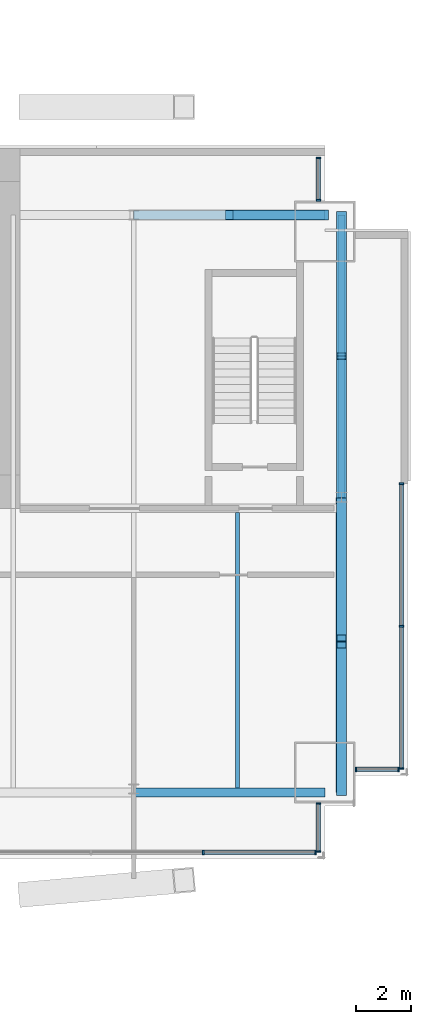
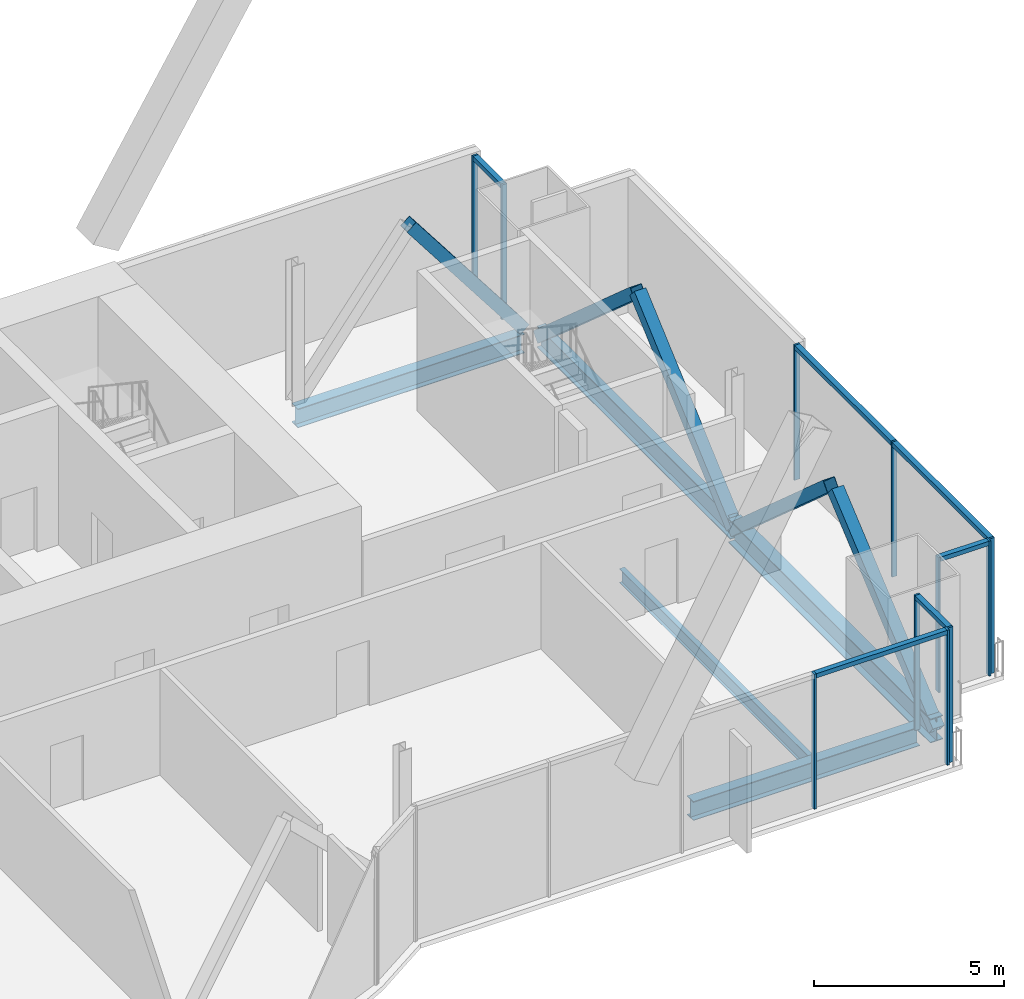
# One storey, part 11 of 19: 22 members, 5 beams, 5 elements without a shape of their own.
"""IFC4 building model written with IfcOpenShell, lengths in metres."""

from ifc_helpers import new_model, si_unit, direction, frame, origin, origin_2d, place, context, subcontext, project, spatial, rectangle, hollow_rectangle, i_section, extrude, material, material_profile, profile_set, type_object, element, aggregate, save


model = new_model("IFC4")

# Units and contexts
model_context = context("Model", 3, precision=1e-05, world=origin(), true_north=direction((0.0, 1.0)))
body_context = subcontext(model_context, "Body", "Model", "MODEL_VIEW")
ifc_project = project(units=[si_unit("LENGTHUNIT", "METRE"), si_unit("AREAUNIT", "SQUARE_METRE"), si_unit("VOLUMEUNIT", "CUBIC_METRE"), si_unit("PLANEANGLEUNIT", "RADIAN"), si_unit("MASSUNIT", "GRAM", prefix="KILO")], contexts=[model_context])

# Site, building, storey
site_placement = place(None, origin())
site = spatial("IfcSite", under=ifc_project, at=site_placement, CompositionType="ELEMENT")
building_placement = place(site_placement, origin())
building = spatial("IfcBuilding", under=site, at=building_placement, Name="Bicima Exchange Tower", CompositionType="ELEMENT")
storey_placement = place(building_placement, frame((0.0, 0.0, 324.5)))
storey = spatial("IfcBuildingStorey", under=building, at=storey_placement, Name="L73", CompositionType="ELEMENT", Elevation=324.5)

# Curtain wall, members
ifc_material_1 = material(Name="Anodised bronze aluminium", Category="aluminium")
curtain_wall_type_1 = type_object("IfcCurtainWallType", Name="End face glass wall", PredefinedType="NOTDEFINED", material=ifc_material_1)
curtain_wall_1_placement = place(storey_placement, origin())
curtain_wall_1 = element("IfcCurtainWall", 1, at=curtain_wall_1_placement, inside=storey, type_object=curtain_wall_type_1, Name="End face glass wall L73 run 19", PredefinedType="NOTDEFINED")
ifc_material_profile_1 = material_profile(ifc_material_1, rectangle(XDim=0.159912109375, YDim=0.06005859375, at=origin_2d()))
ifc_profile_set_1 = profile_set([ifc_material_profile_1], Name="Anodised bronze aluminium")
member_type_1 = type_object("IfcMemberType", Name="End face glass wall mullion 60 x 160", PredefinedType="MULLION", material=ifc_profile_set_1)
member_1_placement = place(storey_placement, frame((35.77001953125, -22.39208984375, 0.0), z_axis=(0.0, 0.0, 1.0), x_axis=(-1.0, 0.0, 0.0)))
member_1 = element("IfcMember", 2, at=member_1_placement, type_object=member_type_1, Name="End face glass wall mullion 1", PredefinedType="MULLION", context=body_context, shape_type="SweptSolid", body=[
    extrude(rectangle(XDim=0.159912109375, YDim=0.06005859375, at=origin_2d()), origin(), (0.0, 0.0, 1.0), 4.35009765625),
])
member_2_placement = place(storey_placement, frame((35.77001953125, -17.2509765625, 0.0), z_axis=(0.0, 0.0, 1.0), x_axis=(-1.0, 0.0, 0.0)))
member_2 = element("IfcMember", 3, at=member_2_placement, type_object=member_type_1, Name="End face glass wall mullion 2", PredefinedType="MULLION", context=body_context, shape_type="SweptSolid", body=[
    extrude(rectangle(XDim=0.159912109375, YDim=0.06005859375, at=origin_2d()), origin(), (0.0, 0.0, 1.0), 4.35009765625),
])
member_3_placement = place(storey_placement, frame((35.77001953125, -12.110107421875, 0.0), z_axis=(0.0, 0.0, 1.0), x_axis=(-1.0, 0.0, 0.0)))
member_3 = element("IfcMember", 4, at=member_3_placement, type_object=member_type_1, Name="End face glass wall mullion 3", PredefinedType="MULLION", context=body_context, shape_type="SweptSolid", body=[
    extrude(rectangle(XDim=0.159912109375, YDim=0.06005859375, at=origin_2d()), origin(), (0.0, 0.0, 1.0), 4.35009765625),
])
ifc_material_profile_2 = material_profile(ifc_material_1, rectangle(XDim=0.159912109375, YDim=0.139892578125, at=origin_2d()))
ifc_profile_set_2 = profile_set([ifc_material_profile_2], Name="Anodised bronze aluminium")
member_type_2 = type_object("IfcMemberType", Name="End face glass wall transom 140 x 160", PredefinedType="USERDEFINED", material=ifc_profile_set_2)
member_4_placement = place(storey_placement, frame((35.77001953125, -22.362060546875, 4.280029296875), z_axis=(0.0, 1.0, 0.0), x_axis=(-1.0, 0.0, 0.0)))
member_4 = element("IfcMember", 5, at=member_4_placement, type_object=member_type_2, Name="End face glass wall transom 1.1", ObjectType="TRANSOM", PredefinedType="USERDEFINED", context=body_context, shape_type="SweptSolid", body=[
    extrude(rectangle(XDim=0.159912109375, YDim=0.139892578125, at=origin_2d()), origin(), (0.0, 0.0, 1.0), 5.0810546875),
])
member_5_placement = place(storey_placement, frame((35.77001953125, -17.220947265625, 4.280029296875), z_axis=(0.0, 1.0, 0.0), x_axis=(-1.0, 0.0, 0.0)))
member_5 = element("IfcMember", 6, at=member_5_placement, type_object=member_type_2, Name="End face glass wall transom 2.1", ObjectType="TRANSOM", PredefinedType="USERDEFINED", context=body_context, shape_type="SweptSolid", body=[
    extrude(rectangle(XDim=0.159912109375, YDim=0.139892578125, at=origin_2d()), origin(), (0.0, 0.0, 1.0), 5.0810546875),
])
aggregate(curtain_wall_1, [member_1, member_2, member_3, member_4, member_5])

# Beams
ifc_material_2 = material(Name="Steel ASTM A992 Gr 50", Category="steel")
ifc_material_profile_3 = material_profile(ifc_material_2, i_section(OverallWidth=0.256591796875, OverallDepth=0.693359375, WebThickness=0.014404296875, FlangeThickness=0.023681640625, at=origin_2d()))
ifc_profile_set_3 = profile_set([ifc_material_profile_3], Name="Steel ASTM A992 Gr 50")
beam_type_1 = type_object("IfcBeamType", Name="End girder W27x114", PredefinedType="BEAM", material=ifc_profile_set_3)
beam_1_placement = place(storey_placement, frame((33.60009765625, -2.39990234375, -0.49658203125), z_axis=(0.0, -1.0, 0.0), x_axis=(1.0, 0.0, 0.0)))
element("IfcBeam", 7, at=beam_1_placement, inside=storey, type_object=beam_type_1, Name="End girder", PredefinedType="BEAM", context=body_context, shape_type="SweptSolid", body=[
    extrude(i_section(OverallWidth=0.256591796875, OverallDepth=0.693359375, WebThickness=0.014404296875, FlangeThickness=0.023681640625, at=origin_2d()), origin(), (0.0, 0.0, 1.0), 10.2001953125),
])
ifc_material_profile_4 = material_profile(ifc_material_2, i_section(OverallWidth=0.381103515625, OverallDepth=0.772216796875, WebThickness=0.0166015625, FlangeThickness=0.027099609375, at=origin_2d()))
ifc_profile_set_4 = profile_set([ifc_material_profile_4], Name="Steel ASTM A992 Gr 50")
beam_type_2 = type_object("IfcBeamType", Name="End girder W30x173", PredefinedType="BEAM", material=ifc_profile_set_4)
beam_2_placement = place(storey_placement, frame((33.60009765625, -12.60009765625, -0.5361328125), z_axis=(0.0, -1.0, 0.0), x_axis=(1.0, 0.0, 0.0)))
element("IfcBeam", 8, at=beam_2_placement, inside=storey, type_object=beam_type_2, Name="End girder", PredefinedType="BEAM", context=body_context, shape_type="SweptSolid", body=[
    extrude(i_section(OverallWidth=0.381103515625, OverallDepth=0.772216796875, WebThickness=0.0166015625, FlangeThickness=0.027099609375, at=origin_2d()), origin(), (0.0, 0.0, 1.0), 10.65185546875),
])
ifc_material_profile_5 = material_profile(ifc_material_2, i_section(OverallWidth=0.15283203125, OverallDepth=0.45458984375, WebThickness=0.008056640625, FlangeThickness=0.013427734375, at=origin_2d()))
ifc_profile_set_5 = profile_set([ifc_material_profile_5], Name="Steel ASTM A992 Gr 50")
beam_type_3 = type_object("IfcBeamType", Name="Floor beam W18x40", PredefinedType="JOIST", material=ifc_profile_set_5)
beam_3_placement = place(storey_placement, frame((29.85009765625, -13.15234375, -0.377197265625), z_axis=(0.0, -1.0, 0.0), x_axis=(1.0, 0.0, 0.0)))
element("IfcBeam", 9, at=beam_3_placement, inside=storey, type_object=beam_type_3, Name="Floor beam", PredefinedType="JOIST", context=body_context, shape_type="SweptSolid", body=[
    extrude(i_section(OverallWidth=0.15283203125, OverallDepth=0.45458984375, WebThickness=0.008056640625, FlangeThickness=0.013427734375, at=origin_2d()), origin(), (0.0, 0.0, 1.0), 9.93701171875),
])
ifc_material_profile_6 = material_profile(ifc_material_2, i_section(OverallWidth=0.3251953125, OverallDepth=0.612060546875, WebThickness=0.0126953125, FlangeThickness=0.01904296875, at=origin_2d()))
ifc_profile_set_6 = profile_set([ifc_material_profile_6], Name="Steel ASTM A992 Gr 50")
beam_type_4 = type_object("IfcBeamType", Name="Front girder W24x104", PredefinedType="BEAM", material=ifc_profile_set_6)
beam_4_placement = place(storey_placement, frame((26.10009765625, -23.251953125, -0.4560546875), z_axis=(1.0, 0.0, 0.0), x_axis=(0.0, 1.0, 0.0)))
element("IfcBeam", 10, at=beam_4_placement, inside=storey, type_object=beam_type_4, Name="Front girder", PredefinedType="BEAM", context=body_context, shape_type="SweptSolid", body=[
    extrude(i_section(OverallWidth=0.3251953125, OverallDepth=0.612060546875, WebThickness=0.0126953125, FlangeThickness=0.01904296875, at=origin_2d()), origin(), (0.0, 0.0, 1.0), 6.89990234375),
])

# Curtain wall, members
curtain_wall_type_2 = type_object("IfcCurtainWallType", Name="Front glass wall", PredefinedType="NOTDEFINED", material=ifc_material_1)
curtain_wall_2_placement = place(storey_placement, origin())
curtain_wall_2 = element("IfcCurtainWall", 11, at=curtain_wall_2_placement, inside=storey, type_object=curtain_wall_type_2, Name="Front glass wall L73 run 16", PredefinedType="NOTDEFINED")
member_type_3 = type_object("IfcMemberType", Name="Front glass wall mullion 60 x 160", PredefinedType="MULLION", material=ifc_profile_set_1)
member_6_placement = place(storey_placement, frame((28.610595703125, -25.422119140625, 0.0), z_axis=(0.0, 0.0, 1.0), x_axis=(0.0, 1.0, 0.0)))
member_6 = element("IfcMember", 12, at=member_6_placement, type_object=member_type_3, Name="Front glass wall mullion 4", PredefinedType="MULLION", context=body_context, shape_type="SweptSolid", body=[
    extrude(rectangle(XDim=0.159912109375, YDim=0.06005859375, at=origin_2d()), origin(), (0.0, 0.0, 1.0), 4.35009765625),
])
member_7_placement = place(storey_placement, frame((32.659912109375, -25.422119140625, 0.0), z_axis=(0.0, 0.0, 1.0), x_axis=(0.0, 1.0, 0.0)))
member_7 = element("IfcMember", 13, at=member_7_placement, type_object=member_type_3, Name="Front glass wall mullion 5", PredefinedType="MULLION", context=body_context, shape_type="SweptSolid", body=[
    extrude(rectangle(XDim=0.159912109375, YDim=0.06005859375, at=origin_2d()), origin(), (0.0, 0.0, 1.0), 4.35009765625),
])

curtain_wall_3_placement = place(storey_placement, origin())
curtain_wall_3 = element("IfcCurtainWall", 14, at=curtain_wall_3_placement, inside=storey, type_object=curtain_wall_type_2, Name="Front glass wall L73 run 17", PredefinedType="NOTDEFINED")
member_8_placement = place(storey_placement, frame((32.77001953125, -25.39208984375, 0.0), z_axis=(0.0, 0.0, 1.0), x_axis=(-1.0, 0.0, 0.0)))
member_8 = element("IfcMember", 15, at=member_8_placement, type_object=member_type_3, Name="Front glass wall mullion 1", PredefinedType="MULLION", context=body_context, shape_type="SweptSolid", body=[
    extrude(rectangle(XDim=0.159912109375, YDim=0.06005859375, at=origin_2d()), origin(), (0.0, 0.0, 1.0), 4.35009765625),
])
member_9_placement = place(storey_placement, frame((32.77001953125, -23.659912109375, 0.0), z_axis=(0.0, 0.0, 1.0), x_axis=(-1.0, 0.0, 0.0)))
member_9 = element("IfcMember", 16, at=member_9_placement, type_object=member_type_3, Name="Front glass wall mullion 2", PredefinedType="MULLION", context=body_context, shape_type="SweptSolid", body=[
    extrude(rectangle(XDim=0.159912109375, YDim=0.06005859375, at=origin_2d()), origin(), (0.0, 0.0, 1.0), 4.35009765625),
])

curtain_wall_4_placement = place(storey_placement, origin())
curtain_wall_4 = element("IfcCurtainWall", 17, at=curtain_wall_4_placement, inside=storey, type_object=curtain_wall_type_2, Name="Front glass wall L73 run 18", PredefinedType="NOTDEFINED")
member_10_placement = place(storey_placement, frame((34.1298828125, -22.422119140625, 0.0), z_axis=(0.0, 0.0, 1.0), x_axis=(0.0, 1.0, 0.0)))
member_10 = element("IfcMember", 18, at=member_10_placement, type_object=member_type_3, Name="Front glass wall mullion 1", PredefinedType="MULLION", context=body_context, shape_type="SweptSolid", body=[
    extrude(rectangle(XDim=0.159912109375, YDim=0.06005859375, at=origin_2d()), origin(), (0.0, 0.0, 1.0), 4.35009765625),
])
member_11_placement = place(storey_placement, frame((35.659912109375, -22.422119140625, 0.0), z_axis=(0.0, 0.0, 1.0), x_axis=(0.0, 1.0, 0.0)))
member_11 = element("IfcMember", 19, at=member_11_placement, type_object=member_type_3, Name="Front glass wall mullion 2", PredefinedType="MULLION", context=body_context, shape_type="SweptSolid", body=[
    extrude(rectangle(XDim=0.159912109375, YDim=0.06005859375, at=origin_2d()), origin(), (0.0, 0.0, 1.0), 4.35009765625),
])

curtain_wall_5_placement = place(storey_placement, origin())
curtain_wall_5 = element("IfcCurtainWall", 20, at=curtain_wall_5_placement, inside=storey, type_object=curtain_wall_type_2, Name="Front glass wall L73 run 20", PredefinedType="NOTDEFINED")
member_12_placement = place(storey_placement, frame((32.77001953125, -1.8701171875, 0.0), z_axis=(0.0, 0.0, 1.0), x_axis=(-1.0, 0.0, 0.0)))
member_12 = element("IfcMember", 21, at=member_12_placement, type_object=member_type_3, Name="Front glass wall mullion 1", PredefinedType="MULLION", context=body_context, shape_type="SweptSolid", body=[
    extrude(rectangle(XDim=0.159912109375, YDim=0.06005859375, at=origin_2d()), origin(), (0.0, 0.0, 1.0), 4.35009765625),
])
member_13_placement = place(storey_placement, frame((32.77001953125, -0.340087890625, 0.0), z_axis=(0.0, 0.0, 1.0), x_axis=(-1.0, 0.0, 0.0)))
member_13 = element("IfcMember", 22, at=member_13_placement, type_object=member_type_3, Name="Front glass wall mullion 2", PredefinedType="MULLION", context=body_context, shape_type="SweptSolid", body=[
    extrude(rectangle(XDim=0.159912109375, YDim=0.06005859375, at=origin_2d()), origin(), (0.0, 0.0, 1.0), 4.35009765625),
])

# Member
member_type_4 = type_object("IfcMemberType", Name="Front glass wall transom 140 x 160", PredefinedType="USERDEFINED", material=ifc_profile_set_2)
member_14_placement = place(storey_placement, frame((28.640380859375, -25.422119140625, 4.280029296875), z_axis=(1.0, 0.0, 0.0), x_axis=(0.0, 1.0, 0.0)))
member_14 = element("IfcMember", 23, at=member_14_placement, type_object=member_type_4, Name="Front glass wall transom 4.1", ObjectType="TRANSOM", PredefinedType="USERDEFINED", context=body_context, shape_type="SweptSolid", body=[
    extrude(rectangle(XDim=0.159912109375, YDim=0.139892578125, at=origin_2d()), origin(), (0.0, 0.0, 1.0), 3.989501953125),
])

aggregate(curtain_wall_2, [member_6, member_7, member_14])

member_15_placement = place(storey_placement, frame((32.77001953125, -25.362060546875, 4.280029296875), z_axis=(0.0, 1.0, 0.0), x_axis=(-1.0, 0.0, 0.0)))
member_15 = element("IfcMember", 24, at=member_15_placement, type_object=member_type_4, Name="Front glass wall transom 1.1", ObjectType="TRANSOM", PredefinedType="USERDEFINED", context=body_context, shape_type="SweptSolid", body=[
    extrude(rectangle(XDim=0.159912109375, YDim=0.139892578125, at=origin_2d()), origin(), (0.0, 0.0, 1.0), 1.672119140625),
])

aggregate(curtain_wall_3, [member_8, member_9, member_15])

member_16_placement = place(storey_placement, frame((34.159912109375, -22.422119140625, 4.280029296875), z_axis=(1.0, 0.0, 0.0), x_axis=(0.0, 1.0, 0.0)))
member_16 = element("IfcMember", 25, at=member_16_placement, type_object=member_type_4, Name="Front glass wall transom 1.1", ObjectType="TRANSOM", PredefinedType="USERDEFINED", context=body_context, shape_type="SweptSolid", body=[
    extrude(rectangle(XDim=0.159912109375, YDim=0.139892578125, at=origin_2d()), origin(), (0.0, 0.0, 1.0), 1.469970703125),
])

aggregate(curtain_wall_4, [member_10, member_11, member_16])

member_17_placement = place(storey_placement, frame((32.77001953125, -1.840087890625, 4.280029296875), z_axis=(0.0, 1.0, 0.0), x_axis=(-1.0, 0.0, 0.0)))
member_17 = element("IfcMember", 26, at=member_17_placement, type_object=member_type_4, Name="Front glass wall transom 1.1", ObjectType="TRANSOM", PredefinedType="USERDEFINED", context=body_context, shape_type="SweptSolid", body=[
    extrude(rectangle(XDim=0.159912109375, YDim=0.139892578125, at=origin_2d()), origin(), (0.0, 0.0, 1.0), 1.469970703125),
])

aggregate(curtain_wall_5, [member_12, member_13, member_17])

# Members
ifc_material_3 = material(Name="Steel ASTM A572 Gr 50", Category="steel")
ifc_material_profile_7 = material_profile(ifc_material_3, hollow_rectangle(XDim=0.355712890625, YDim=0.355712890625, WallThickness=0.01171875, at=origin_2d()))
ifc_profile_set_7 = profile_set([ifc_material_profile_7], Name="Steel ASTM A572 Gr 50")
member_type_5 = type_object("IfcMemberType", Name="Mega brace HSS14x14x1/2", PredefinedType="BRACE", material=ifc_profile_set_7)
member_18_placement = place(storey_placement, frame((33.0, -2.39990234375, 0.0), z_axis=(-0.608426120198, 0.0, 0.793610519248), x_axis=(0.0, -1.0, 0.0)))
element("IfcMember", 27, at=member_18_placement, inside=storey, type_object=member_type_5, Name="Mega brace rear", PredefinedType="BRACE", context=body_context, shape_type="SweptSolid", body=[
    extrude(hollow_rectangle(XDim=0.355712890625, YDim=0.355712890625, WallThickness=0.01171875, at=origin_2d()), origin(), (0.0, 0.0, 1.0), 5.670166015625),
])
for number, where, z_axis, x_axis, name in (
    (28, (33.60009765625, -2.39990234375, -0.49658203125), (0.0, -0.749844140428, 0.661614513948), (1.0, 0.0, 0.0), "Mega brace east end"),
    (29, (33.60009765625, -12.60009765625, -0.49658203125), (0.0, 0.749844140428, 0.661614513948), (-1.0, 0.0, 0.0), "Mega brace east end"),
):
    element("IfcMember", number, at=place(storey_placement, frame(where, z_axis=z_axis, x_axis=x_axis)), inside=storey, type_object=member_type_5, Name=name, PredefinedType="BRACE", context=body_context, shape_type="SweptSolid", body=[
        extrude(hollow_rectangle(XDim=0.355712890625, YDim=0.355712890625, WallThickness=0.01171875, at=origin_2d()), origin(), (0.0, 0.0, 1.0), 6.801513671875),
    ])
member_19_placement = place(storey_placement, frame((33.60009765625, -12.60009765625, -0.5361328125), z_axis=(0.0, -0.748662134169, 0.662951739467), x_axis=(1.0, 0.0, 0.0)))
element("IfcMember", 30, at=member_19_placement, inside=storey, type_object=member_type_5, Name="Mega brace east end", PredefinedType="BRACE", context=body_context, shape_type="SweptSolid", body=[
    extrude(hollow_rectangle(XDim=0.355712890625, YDim=0.355712890625, WallThickness=0.01171875, at=origin_2d()), origin(), (0.0, 0.0, 1.0), 6.787841796875),
])
member_20_placement = place(storey_placement, frame((33.60009765625, -23.251953125, -0.5361328125), z_axis=(0.0, 0.76384961339, 0.64539427339), x_axis=(-1.0, 0.0, 0.0)))
element("IfcMember", 31, at=member_20_placement, inside=storey, type_object=member_type_5, Name="Mega brace east end", PredefinedType="BRACE", context=body_context, shape_type="SweptSolid", body=[
    extrude(hollow_rectangle(XDim=0.355712890625, YDim=0.355712890625, WallThickness=0.01171875, at=origin_2d()), origin(), (0.0, 0.0, 1.0), 6.972412109375),
])

# Beam
beam_type_5 = type_object("IfcBeamType", Name="Rear girder W24x104", PredefinedType="BEAM", material=ifc_profile_set_6)
beam_5_placement = place(storey_placement, frame((26.10009765625, -2.39990234375, -0.4560546875), z_axis=(1.0, 0.0, 0.0), x_axis=(0.0, 1.0, 0.0)))
element("IfcBeam", 32, at=beam_5_placement, inside=storey, type_object=beam_type_5, Name="Rear girder", PredefinedType="BEAM", context=body_context, shape_type="SweptSolid", body=[
    extrude(i_section(OverallWidth=0.3251953125, OverallDepth=0.612060546875, WebThickness=0.0126953125, FlangeThickness=0.01904296875, at=origin_2d()), origin(), (0.0, 0.0, 1.0), 6.89990234375),
])

save(model, "model.ifc")
